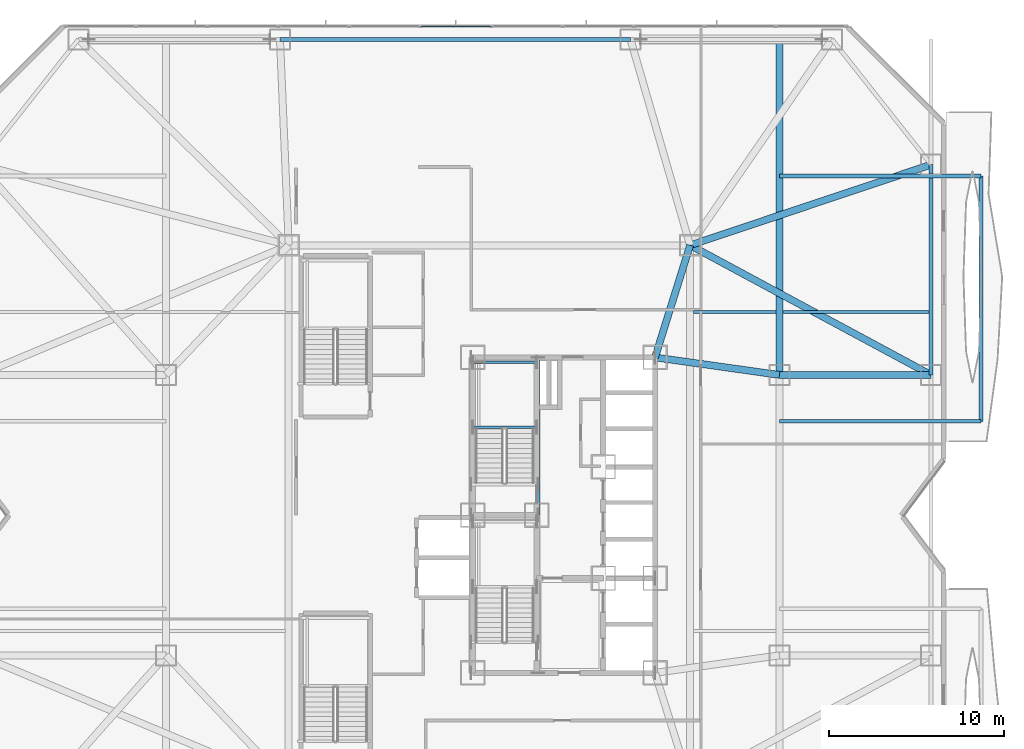
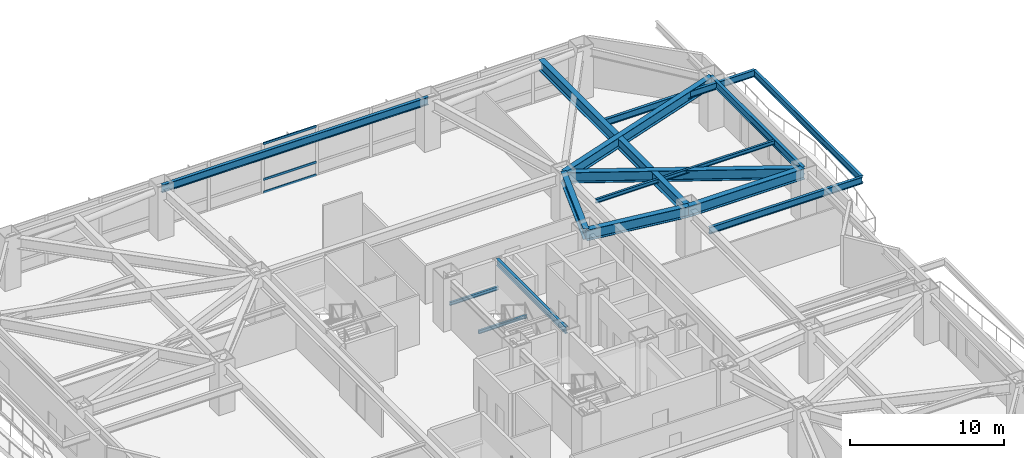
# One storey, part 12 of 32: 16 beams, 3 members, 1 element without a shape of its own.
"""IFC4 building model written with IfcOpenShell, lengths in metres."""

from ifc_helpers import new_model, si_unit, direction, frame, origin, origin_2d, place, context, subcontext, project, spatial, hollow_rectangle, i_section, extrude, material, material_profile, profile_set, type_object, element, aggregate, save


model = new_model("IFC4")

# Units and contexts
model_context = context("Model", 3, precision=1e-05, world=origin(), true_north=direction((0.0, 1.0)))
body_context = subcontext(model_context, "Body", "Model", "MODEL_VIEW")
ifc_project = project(units=[si_unit("LENGTHUNIT", "METRE"), si_unit("AREAUNIT", "SQUARE_METRE"), si_unit("VOLUMEUNIT", "CUBIC_METRE"), si_unit("PLANEANGLEUNIT", "RADIAN"), si_unit("MASSUNIT", "GRAM", prefix="KILO")], contexts=[model_context])

# Site, building, storey
site_placement = place(None, origin())
site = spatial("IfcSite", under=ifc_project, at=site_placement, CompositionType="ELEMENT")
building_placement = place(site_placement, origin())
building = spatial("IfcBuilding", under=site, at=building_placement, Name="Khamvora Tower", CompositionType="ELEMENT")
storey_placement = place(building_placement, frame((0.0, 0.0, 12.0)))
storey = spatial("IfcBuildingStorey", under=building, at=storey_placement, Name="L02", CompositionType="ELEMENT", Elevation=12.0)

# Beams
ifc_material_1 = material(Name="Steel S355", Category="steel")
ifc_material_profile_1 = material_profile(ifc_material_1, i_section(OverallWidth=0.166015625, OverallDepth=0.31298828125, WebThickness=0.007080078125, FlangeThickness=0.010986328125, FilletRadius=0.010009765625, at=origin_2d()), Name="W310x45")
ifc_profile_set_1 = profile_set([ifc_material_profile_1], Name="Steel S355")
beam_type_1 = type_object("IfcBeamType", Name="BM-JS-W310x45", PredefinedType="JOIST", material=ifc_profile_set_1)
beam_1_placement = place(storey_placement, frame((41.594970703125, 39.60009765625, 3.763916015625), z_axis=(1.0, 0.0, 0.0), x_axis=(0.0, 1.0, 0.0)))
element("IfcBeam", 1, at=beam_1_placement, inside=storey, type_object=beam_type_1, Name="L02 secondary floor joist 15", PredefinedType="JOIST", context=body_context, shape_type="SweptSolid", body=[
    extrude(i_section(OverallWidth=0.166015625, OverallDepth=0.31298828125, WebThickness=0.007080078125, FlangeThickness=0.010986328125, FilletRadius=0.010009765625, at=origin_2d()), origin(), (0.0, 0.0, 1.0), 4.7099609375),
])
beam_2_placement = place(storey_placement, frame((46.695068359375, 39.60009765625, 3.763916015625), z_axis=(1.0, 0.0, 0.0), x_axis=(0.0, 1.0, 0.0)))
element("IfcBeam", 2, at=beam_2_placement, inside=storey, type_object=beam_type_1, Name="L02 secondary floor joist 16", PredefinedType="JOIST", context=body_context, shape_type="SweptSolid", body=[
    extrude(i_section(OverallWidth=0.166015625, OverallDepth=0.31298828125, WebThickness=0.007080078125, FlangeThickness=0.010986328125, FilletRadius=0.010009765625, at=origin_2d()), origin(), (0.0, 0.0, 1.0), 8.344970703125),
])
ifc_material_profile_2 = material_profile(ifc_material_1, i_section(OverallWidth=0.14697265625, OverallDepth=0.261962890625, WebThickness=0.007080078125, FlangeThickness=0.010986328125, FilletRadius=0.008056640625, at=origin_2d()), Name="W250x39")
ifc_profile_set_2 = profile_set([ifc_material_profile_2], Name="Steel S355")
beam_type_2 = type_object("IfcBeamType", Name="BM-LN-W250x39", PredefinedType="LINTEL", material=ifc_profile_set_2)
for number, where, z_axis, x_axis, name in (
    (3, (29.0, 33.014892578125, 1.76904296875), (1.0, 0.0, 0.0), (0.0, 1.0, 0.0), "L02 ST-02 half-landing support beam 1.1"),
    (4, (29.0, 36.72998046875, 1.76904296875), (1.0, 0.0, 0.0), (0.0, 1.0, 0.0), "L02 ST-02 half-landing support beam 1.2"),
):
    element("IfcBeam", number, at=place(storey_placement, frame(where, z_axis=z_axis, x_axis=x_axis)), inside=storey, type_object=beam_type_2, Name=name, PredefinedType="LINTEL", context=body_context, shape_type="SweptSolid", body=[
        extrude(i_section(OverallWidth=0.14697265625, OverallDepth=0.261962890625, WebThickness=0.007080078125, FlangeThickness=0.010986328125, FilletRadius=0.008056640625, at=origin_2d()), origin(), (0.0, 0.0, 1.0), 3.64990234375),
    ])
ifc_material_profile_3 = material_profile(ifc_material_1, i_section(OverallWidth=0.39990234375, OverallDepth=0.85498046875, WebThickness=0.01806640625, FlangeThickness=0.029052734375, FilletRadius=0.01806640625, at=origin_2d()), Name="W840x299")
ifc_profile_set_3 = profile_set([ifc_material_profile_3], Name="Steel S355")
beam_type_3 = type_object("IfcBeamType", Name="BM-PG-W840x299", PredefinedType="BEAM", material=ifc_profile_set_3)
beam_3_placement = place(storey_placement, frame((46.5, 36.0, 3.491943359375), z_axis=(1.0, 0.0, 0.0), x_axis=(0.0, 1.0, 0.0)))
element("IfcBeam", 5, at=beam_3_placement, inside=storey, type_object=beam_type_3, Name="L02 primary floor girder P15", PredefinedType="BEAM", context=body_context, shape_type="SweptSolid", body=[
    extrude(i_section(OverallWidth=0.39990234375, OverallDepth=0.85498046875, WebThickness=0.01806640625, FlangeThickness=0.029052734375, FilletRadius=0.01806640625, at=origin_2d()), origin(), (0.0, 0.0, 1.0), 8.64990234375),
])
beam_4_placement = place(storey_placement, frame((41.39990234375, 43.39990234375, 3.491943359375), z_axis=(0.948335857324, 0.31726818579, 0.0), x_axis=(-0.31726818579, 0.948335857324, 0.0)))
element("IfcBeam", 6, at=beam_4_placement, inside=storey, type_object=beam_type_3, Name="L02 primary floor girder P16", PredefinedType="BEAM", context=body_context, shape_type="SweptSolid", body=[
    extrude(i_section(OverallWidth=0.39990234375, OverallDepth=0.85498046875, WebThickness=0.01806640625, FlangeThickness=0.029052734375, FilletRadius=0.01806640625, at=origin_2d()), origin(), (0.0, 0.0, 1.0), 14.4990234375),
])
beam_5_placement = place(storey_placement, frame((39.39990234375, 37.0, 3.491943359375), z_axis=(0.298279139585, 0.95447868226, 0.0), x_axis=(-0.95447868226, 0.298279139585, 0.0)))
element("IfcBeam", 7, at=beam_5_placement, inside=storey, type_object=beam_type_3, Name="L02 primary floor girder P20", PredefinedType="BEAM", context=body_context, shape_type="SweptSolid", body=[
    extrude(i_section(OverallWidth=0.39990234375, OverallDepth=0.85498046875, WebThickness=0.01806640625, FlangeThickness=0.029052734375, FilletRadius=0.01806640625, at=origin_2d()), origin(), (0.0, 0.0, 1.0), 6.705078125),
])
beam_6_placement = place(storey_placement, frame((39.39990234375, 37.0, 3.491943359375), z_axis=(0.990226770029, -0.139466640879, 0.0), x_axis=(0.139466640879, 0.990226770029, 0.0)))
element("IfcBeam", 8, at=beam_6_placement, inside=storey, type_object=beam_type_3, Name="L02 primary floor girder P24", PredefinedType="BEAM", context=body_context, shape_type="SweptSolid", body=[
    extrude(i_section(OverallWidth=0.39990234375, OverallDepth=0.85498046875, WebThickness=0.01806640625, FlangeThickness=0.029052734375, FilletRadius=0.01806640625, at=origin_2d()), origin(), (0.0, 0.0, 1.0), 7.170166015625),
])
beam_7_placement = place(storey_placement, frame((55.14990234375, 36.0, 3.491943359375), z_axis=(-0.880576508414, 0.473904012252, 0.0), x_axis=(-0.473904012252, -0.880576508414, 0.0)))
element("IfcBeam", 9, at=beam_7_placement, inside=storey, type_object=beam_type_3, Name="L02 east plinth tie girder 3", PredefinedType="BEAM", context=body_context, shape_type="SweptSolid", body=[
    extrude(i_section(OverallWidth=0.39990234375, OverallDepth=0.85498046875, WebThickness=0.01806640625, FlangeThickness=0.029052734375, FilletRadius=0.01806640625, at=origin_2d()), origin(), (0.0, 0.0, 1.0), 15.61474609375),
])
beam_8_placement = place(storey_placement, frame((46.5, 36.0, 3.491943359375), z_axis=(0.0, 1.0, 0.0), x_axis=(-1.0, 0.0, 0.0)))
element("IfcBeam", 10, at=beam_8_placement, inside=storey, type_object=beam_type_3, Name="L02 gallery collector girder E.3", PredefinedType="BEAM", context=body_context, shape_type="SweptSolid", body=[
    extrude(i_section(OverallWidth=0.39990234375, OverallDepth=0.85498046875, WebThickness=0.01806640625, FlangeThickness=0.029052734375, FilletRadius=0.01806640625, at=origin_2d()), origin(), (0.0, 0.0, 1.0), 19.14990234375),
])
ifc_material_profile_4 = material_profile(ifc_material_1, i_section(OverallWidth=0.208984375, OverallDepth=0.532958984375, WebThickness=0.010009765625, FlangeThickness=0.01611328125, FilletRadius=0.013916015625, at=origin_2d()), Name="W530x92")
ifc_profile_set_4 = profile_set([ifc_material_profile_4], Name="Steel S355")
beam_type_4 = type_object("IfcBeamType", Name="BM-SP-W530x92", PredefinedType="SPANDREL", material=ifc_profile_set_4)
beam_9_placement = place(storey_placement, frame((32.72998046875, 28.0, 3.653076171875), z_axis=(0.0, 1.0, 0.0), x_axis=(-1.0, 0.0, 0.0)))
element("IfcBeam", 11, at=beam_9_placement, inside=storey, type_object=beam_type_4, Name="L02 core spine girder M1N", PredefinedType="SPANDREL", context=body_context, shape_type="SweptSolid", body=[
    extrude(i_section(OverallWidth=0.208984375, OverallDepth=0.532958984375, WebThickness=0.010009765625, FlangeThickness=0.01611328125, FilletRadius=0.013916015625, at=origin_2d()), origin(), (0.0, 0.0, 1.0), 9.0),
])
for number, where, z_axis, x_axis, name in (
    (12, (46.5, 33.35009765625, 3.512939453125), (1.0, 0.0, 0.0), (0.0, 1.0, 0.0), "L02 continuous gallery cantilever girder L03-EL2-1"),
    (13, (46.5, 47.35009765625, 3.512939453125), (1.0, 0.0, 0.0), (0.0, 1.0, 0.0), "L02 continuous gallery cantilever girder L03-EL2-2"),
):
    element("IfcBeam", number, at=place(storey_placement, frame(where, z_axis=z_axis, x_axis=x_axis)), inside=storey, type_object=beam_type_4, Name=name, PredefinedType="SPANDREL", context=body_context, shape_type="SweptSolid", body=[
        extrude(i_section(OverallWidth=0.208984375, OverallDepth=0.532958984375, WebThickness=0.010009765625, FlangeThickness=0.01611328125, FilletRadius=0.013916015625, at=origin_2d()), origin(), (0.0, 0.0, 1.0), 11.5),
    ])
beam_10_placement = place(storey_placement, frame((58.0, 33.35009765625, 3.512939453125), z_axis=(0.0, 1.0, 0.0), x_axis=(-1.0, 0.0, 0.0)))
element("IfcBeam", 14, at=beam_10_placement, inside=storey, type_object=beam_type_4, Name="L02 external gallery edge header beam L03-EL2", PredefinedType="SPANDREL", context=body_context, shape_type="SweptSolid", body=[
    extrude(i_section(OverallWidth=0.208984375, OverallDepth=0.532958984375, WebThickness=0.010009765625, FlangeThickness=0.01611328125, FilletRadius=0.013916015625, at=origin_2d()), origin(), (0.0, 0.0, 1.0), 14.0),
])
ifc_material_profile_5 = material_profile(ifc_material_1, i_section(OverallWidth=0.22998046875, OverallDepth=0.616943359375, WebThickness=0.012939453125, FlangeThickness=0.02197265625, FilletRadius=0.013916015625, at=origin_2d()), Name="W610x140")
ifc_profile_set_5 = profile_set([ifc_material_profile_5], Name="Steel S355")
beam_type_5 = type_object("IfcBeamType", Name="BM-SP-W610x140", PredefinedType="SPANDREL", material=ifc_profile_set_5)
beam_11_placement = place(storey_placement, frame((55.14990234375, 36.0, 3.611083984375), z_axis=(0.0, 1.0, 0.0), x_axis=(-1.0, 0.0, 0.0)))
element("IfcBeam", 15, at=beam_11_placement, inside=storey, type_object=beam_type_5, Name="L02 perimeter spandrel beam P15-P16", PredefinedType="SPANDREL", context=body_context, shape_type="SweptSolid", body=[
    extrude(i_section(OverallWidth=0.22998046875, OverallDepth=0.616943359375, WebThickness=0.012939453125, FlangeThickness=0.02197265625, FilletRadius=0.013916015625, at=origin_2d()), origin(), (0.0, 0.0, 1.0), 12.0),
])
beam_12_placement = place(storey_placement, frame((38.0, 55.14990234375, 3.611083984375), z_axis=(-1.0, 0.0, 0.0), x_axis=(0.0, -1.0, 0.0)))
element("IfcBeam", 16, at=beam_12_placement, inside=storey, type_object=beam_type_5, Name="L02 perimeter spandrel beam P07-P06", PredefinedType="SPANDREL", context=body_context, shape_type="SweptSolid", body=[
    extrude(i_section(OverallWidth=0.22998046875, OverallDepth=0.616943359375, WebThickness=0.012939453125, FlangeThickness=0.02197265625, FilletRadius=0.013916015625, at=origin_2d()), origin(), (0.0, 0.0, 1.0), 20.0),
])

# Curtain wall, members
ifc_material_2 = material(Name="Anodised Aluminium 6063-T6", Category="aluminium")
curtain_wall_type = type_object("IfcCurtainWallType", Name="CW-SYS-01", PredefinedType="NOTDEFINED", material=ifc_material_2)
curtain_wall_placement = place(storey_placement, origin())
curtain_wall = element("IfcCurtainWall", 17, at=curtain_wall_placement, inside=storey, type_object=curtain_wall_type, Name="L02 stick curtain wall 07.1", PredefinedType="NOTDEFINED")
ifc_material_profile_6 = material_profile(ifc_material_2, hollow_rectangle(XDim=0.074951171875, YDim=0.179931640625, WallThickness=0.0048828125, at=origin_2d()), Name="TRN75x180x5")
ifc_profile_set_6 = profile_set([ifc_material_profile_6], Name="Anodised Aluminium 6063-T6")
member_type = type_object("IfcMemberType", Name="CW-SYS-01-TRN", PredefinedType="USERDEFINED", material=ifc_profile_set_6)
member_1_placement = place(storey_placement, frame((26.047607421875, 55.8798828125, 0.03759765625), z_axis=(1.0, 0.0, 0.0), x_axis=(0.0, 1.0, 0.0)))
member_1 = element("IfcMember", 18, at=member_1_placement, type_object=member_type, Name="CW-01 transom 6.1", ObjectType="TRANSOM", PredefinedType="USERDEFINED", context=body_context, shape_type="SweptSolid", body=[
    extrude(hollow_rectangle(XDim=0.074951171875, YDim=0.179931640625, WallThickness=0.0048828125, at=origin_2d()), origin(), (0.0, 0.0, 1.0), 3.981689453125),
])
member_2_placement = place(storey_placement, frame((26.047607421875, 55.8798828125, 1.050048828125), z_axis=(1.0, 0.0, 0.0), x_axis=(0.0, 1.0, 0.0)))
member_2 = element("IfcMember", 19, at=member_2_placement, type_object=member_type, Name="CW-01 transom 6.2", ObjectType="TRANSOM", PredefinedType="USERDEFINED", context=body_context, shape_type="SweptSolid", body=[
    extrude(hollow_rectangle(XDim=0.074951171875, YDim=0.179931640625, WallThickness=0.0048828125, at=origin_2d()), origin(), (0.0, 0.0, 1.0), 3.981689453125),
])
member_3_placement = place(storey_placement, frame((26.047607421875, 55.8798828125, 3.882568359375), z_axis=(1.0, 0.0, 0.0), x_axis=(0.0, 1.0, 0.0)))
member_3 = element("IfcMember", 20, at=member_3_placement, type_object=member_type, Name="CW-01 transom 6.3", ObjectType="TRANSOM", PredefinedType="USERDEFINED", context=body_context, shape_type="SweptSolid", body=[
    extrude(hollow_rectangle(XDim=0.074951171875, YDim=0.179931640625, WallThickness=0.0048828125, at=origin_2d()), origin(), (0.0, 0.0, 1.0), 3.981689453125),
])
aggregate(curtain_wall, [member_1, member_2, member_3])

save(model, "model.ifc")
